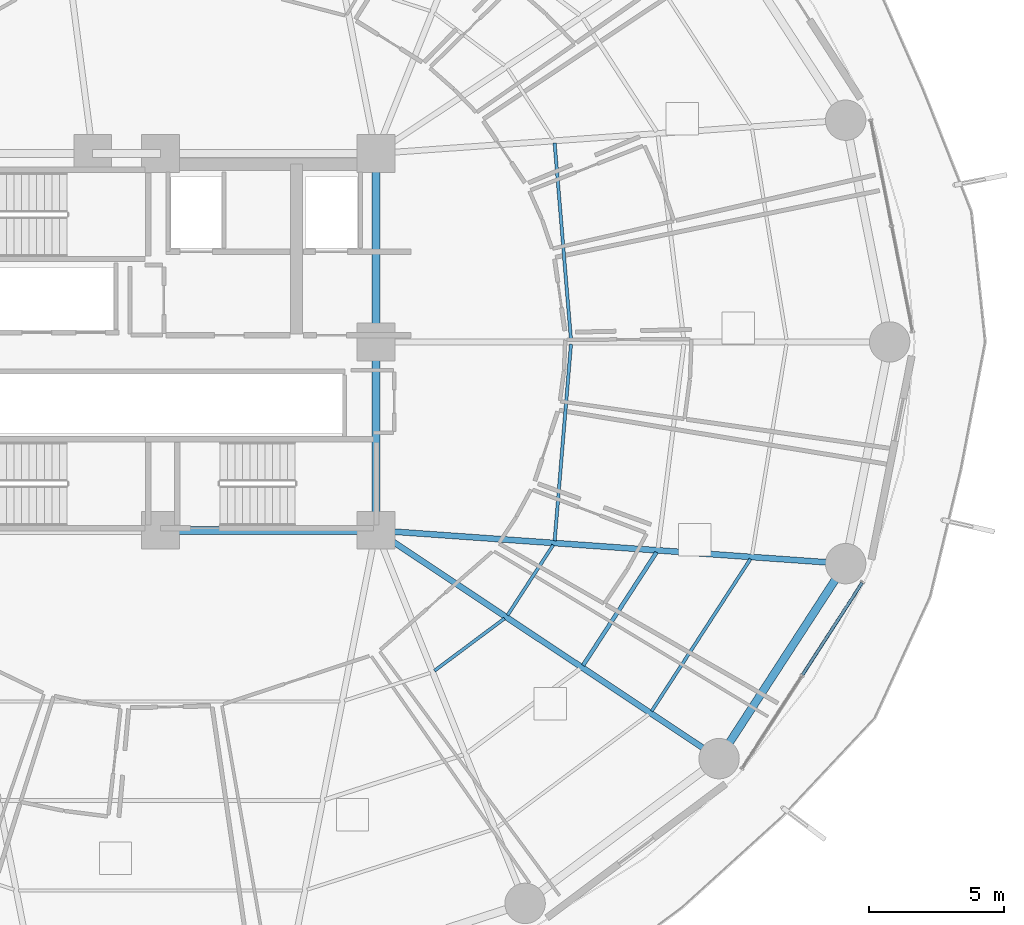
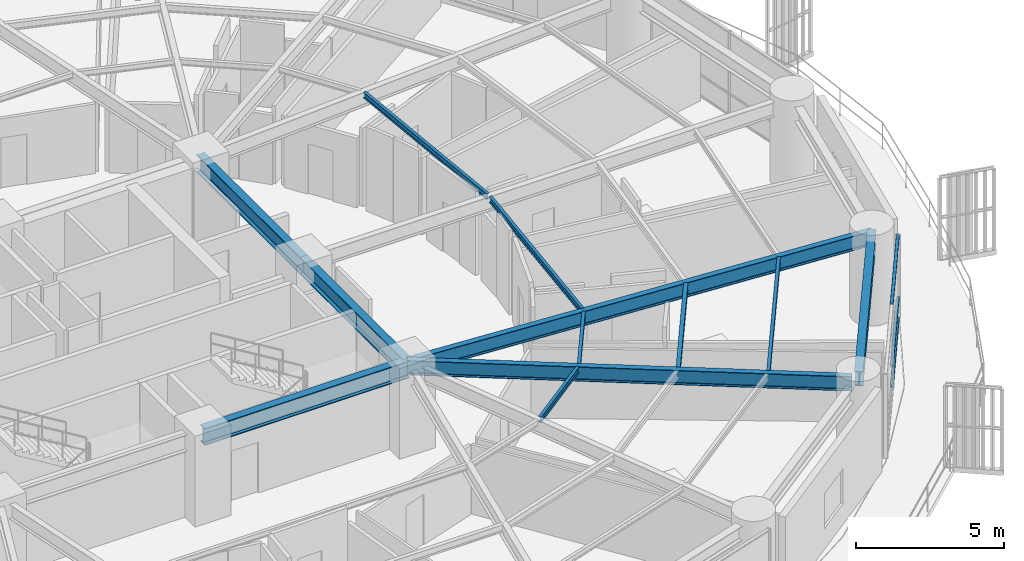
# One storey, part 11 of 34: 12 beams, 3 members, 1 element without a shape of its own.
"""IFC4 building model written with IfcOpenShell, lengths in metres."""

from ifc_helpers import new_model, si_unit, direction, frame, origin, origin_2d, place, context, subcontext, project, spatial, hollow_rectangle, i_section, extrude, material, layer, layer_set, material_profile, profile_set, type_object, element, aggregate, save


model = new_model("IFC4")

# Units and contexts
model_context = context("Model", 3, precision=1e-05, world=origin(), true_north=direction((0.0, 1.0)))
body_context = subcontext(model_context, "Body", "Model", "MODEL_VIEW")
ifc_project = project(units=[si_unit("LENGTHUNIT", "METRE"), si_unit("AREAUNIT", "SQUARE_METRE"), si_unit("VOLUMEUNIT", "CUBIC_METRE"), si_unit("PLANEANGLEUNIT", "RADIAN"), si_unit("MASSUNIT", "GRAM", prefix="KILO")], contexts=[model_context])

# Site, building, storey
site_placement = place(None, origin())
site = spatial("IfcSite", under=ifc_project, at=site_placement, CompositionType="ELEMENT")
building_placement = place(site_placement, origin())
building = spatial("IfcBuilding", under=site, at=building_placement, Name="Kelanora Arch Commons", CompositionType="ELEMENT")
storey_placement = place(building_placement, frame((0.0, 0.0, 33.75)))
storey = spatial("IfcBuildingStorey", under=building, at=storey_placement, Name="L08", CompositionType="ELEMENT", Elevation=33.75)

# Beams
ifc_material_1 = material(Name="Steel S355", Category="steel")
ifc_material_profile_1 = material_profile(ifc_material_1, i_section(OverallWidth=0.300048828125, OverallDepth=0.699951171875, WebThickness=0.01708984375, FlangeThickness=0.031982421875, FilletRadius=0.027099609375, at=origin_2d()), Name="HEB700")
ifc_profile_set_1 = profile_set([ifc_material_profile_1], Name="Steel S355")
beam_type_1 = type_object("IfcBeamType", Name="BM-CORE-HDR", PredefinedType="BEAM", material=ifc_profile_set_1)
beam_1_placement = place(storey_placement, frame((74.0, 51.0, 3.139892578125), z_axis=(1.0, 0.0, 0.0), x_axis=(0.0, 1.0, 0.0)))
element("IfcBeam", 1, at=beam_1_placement, inside=storey, type_object=beam_type_1, Name="Core Header Beam 02 L08", PredefinedType="BEAM", context=body_context, shape_type="SweptSolid", body=[
    extrude(i_section(OverallWidth=0.300048828125, OverallDepth=0.699951171875, WebThickness=0.01708984375, FlangeThickness=0.031982421875, FilletRadius=0.027099609375, at=origin_2d()), origin(), (0.0, 0.0, 1.0), 8.0),
])
for number, where, z_axis, x_axis, name in (
    (2, (82.0, 51.0, 3.139892578125), (0.0, 1.0, 0.0), (-1.0, 0.0, 0.0), "Core Header Beam 03 L08"),
    (3, (82.0, 58.0, 3.139892578125), (0.0, 1.0, 0.0), (-1.0, 0.0, 0.0), "Core Header Beam 04 L08"),
):
    element("IfcBeam", number, at=place(storey_placement, frame(where, z_axis=z_axis, x_axis=x_axis)), inside=storey, type_object=beam_type_1, Name=name, PredefinedType="BEAM", context=body_context, shape_type="SweptSolid", body=[
        extrude(i_section(OverallWidth=0.300048828125, OverallDepth=0.699951171875, WebThickness=0.01708984375, FlangeThickness=0.031982421875, FilletRadius=0.027099609375, at=origin_2d()), origin(), (0.0, 0.0, 1.0), 7.0),
    ])
ifc_material_profile_2 = material_profile(ifc_material_1, i_section(OverallWidth=0.14990234375, OverallDepth=0.300048828125, WebThickness=0.007080078125, FlangeThickness=0.0107421875, FilletRadius=0.014892578125, at=origin_2d()), Name="IPE300")
ifc_profile_set_2 = profile_set([ifc_material_profile_2], Name="Steel S355")
beam_type_2 = type_object("IfcBeamType", Name="BM-JST-01", PredefinedType="JOIST", material=ifc_profile_set_2)
beam_2_placement = place(storey_placement, frame((89.693115234375, 45.984375, 3.340087890625), z_axis=(0.544551588245, 0.838727350061, 0.0), x_axis=(-0.838727350061, 0.544551588245, 0.0)))
element("IfcBeam", 4, at=beam_2_placement, inside=storey, type_object=beam_type_2, Name="Secondary Chord Joist BJB-32 L08", PredefinedType="JOIST", context=body_context, shape_type="SweptSolid", body=[
    extrude(i_section(OverallWidth=0.14990234375, OverallDepth=0.300048828125, WebThickness=0.007080078125, FlangeThickness=0.0107421875, FilletRadius=0.014892578125, at=origin_2d()), origin(), (0.0, 0.0, 1.0), 5.010986328125),
])
ifc_material_profile_3 = material_profile(ifc_material_1, i_section(OverallWidth=0.1201171875, OverallDepth=0.239990234375, WebThickness=0.006103515625, FlangeThickness=0.009765625, FilletRadius=0.014892578125, at=origin_2d()), Name="IPE240")
ifc_profile_set_3 = profile_set([ifc_material_profile_3], Name="Steel S355")
beam_type_3 = type_object("IfcBeamType", Name="BM-JST-02", PredefinedType="JOIST", material=ifc_profile_set_3)
beam_3_placement = place(storey_placement, frame((89.243408203125, 58.084716796875, 3.3701171875), z_axis=(-0.082786209886, 0.996567330115, 0.0), x_axis=(-0.996567330115, -0.082786209886, 0.0)))
element("IfcBeam", 5, at=beam_3_placement, inside=storey, type_object=beam_type_3, Name="Secondary Chord Joist BJA-00 L08", PredefinedType="JOIST", context=body_context, shape_type="SweptSolid", body=[
    extrude(i_section(OverallWidth=0.1201171875, OverallDepth=0.239990234375, WebThickness=0.006103515625, FlangeThickness=0.009765625, FilletRadius=0.014892578125, at=origin_2d()), origin(), (0.0, 0.0, 1.0), 7.325439453125),
])
beam_4_placement = place(storey_placement, frame((84.17333984375, 45.786376953125, 3.3701171875), z_axis=(0.801513822608, 0.59797624716, 0.0), x_axis=(-0.59797624716, 0.801513822608, 0.0)))
element("IfcBeam", 6, at=beam_4_placement, inside=storey, type_object=beam_type_3, Name="Secondary Chord Joist BJA-30 L08", PredefinedType="JOIST", context=body_context, shape_type="SweptSolid", body=[
    extrude(i_section(OverallWidth=0.1201171875, OverallDepth=0.239990234375, WebThickness=0.006103515625, FlangeThickness=0.009765625, FilletRadius=0.014892578125, at=origin_2d()), origin(), (0.0, 0.0, 1.0), 3.245849609375),
])
beam_5_placement = place(storey_placement, frame((86.88916015625, 47.849609375, 3.3701171875), z_axis=(0.544591105858, 0.838701691557, 0.0), x_axis=(-0.838701691557, 0.544591105858, 0.0)))
element("IfcBeam", 7, at=beam_5_placement, inside=storey, type_object=beam_type_3, Name="Secondary Chord Joist BJA-32 L08", PredefinedType="JOIST", context=body_context, shape_type="SweptSolid", body=[
    extrude(i_section(OverallWidth=0.1201171875, OverallDepth=0.239990234375, WebThickness=0.006103515625, FlangeThickness=0.009765625, FilletRadius=0.014892578125, at=origin_2d()), origin(), (0.0, 0.0, 1.0), 3.111328125),
])
beam_6_placement = place(storey_placement, frame((92.241943359375, 44.288818359375, 3.3701171875), z_axis=(0.544550165372, 0.838728273873, 0.0), x_axis=(-0.838728273873, 0.544550165372, 0.0)))
element("IfcBeam", 8, at=beam_6_placement, inside=storey, type_object=beam_type_3, Name="Secondary Chord Joist BJC-32 L08", PredefinedType="JOIST", context=body_context, shape_type="SweptSolid", body=[
    extrude(i_section(OverallWidth=0.1201171875, OverallDepth=0.239990234375, WebThickness=0.006103515625, FlangeThickness=0.009765625, FilletRadius=0.014892578125, at=origin_2d()), origin(), (0.0, 0.0, 1.0), 6.738037109375),
])
beam_7_placement = place(storey_placement, frame((88.636962890625, 50.614990234375, 3.3701171875), z_axis=(0.082786209886, 0.996567330115, 0.0), x_axis=(-0.996567330115, 0.082786209886, 0.0)))
element("IfcBeam", 9, at=beam_7_placement, inside=storey, type_object=beam_type_3, Name="Secondary Chord Joist BJA-34 L08", PredefinedType="JOIST", context=body_context, shape_type="SweptSolid", body=[
    extrude(i_section(OverallWidth=0.1201171875, OverallDepth=0.239990234375, WebThickness=0.006103515625, FlangeThickness=0.009765625, FilletRadius=0.014892578125, at=origin_2d()), origin(), (0.0, 0.0, 1.0), 7.325439453125),
])
ifc_material_profile_4 = material_profile(ifc_material_1, i_section(OverallWidth=0.219970703125, OverallDepth=0.60009765625, WebThickness=0.011962890625, FlangeThickness=0.01904296875, FilletRadius=0.02392578125, at=origin_2d()), Name="IPE600")
ifc_profile_set_4 = profile_set([ifc_material_profile_4], Name="Steel S355")
beam_type_4 = type_object("IfcBeamType", Name="BM-RAD-Z1", PredefinedType="BEAM", material=ifc_profile_set_4)
beam_8_placement = place(storey_placement, frame((82.0, 51.0, 3.18994140625), z_axis=(0.832592623638, -0.553885839379, 0.0), x_axis=(0.553885839379, 0.832592623638, 0.0)))
element("IfcBeam", 10, at=beam_8_placement, inside=storey, type_object=beam_type_4, Name="Radial Floor Girder BR-32 L08", PredefinedType="BEAM", context=body_context, shape_type="SweptSolid", body=[
    extrude(i_section(OverallWidth=0.219970703125, OverallDepth=0.60009765625, WebThickness=0.011962890625, FlangeThickness=0.01904296875, FilletRadius=0.02392578125, at=origin_2d()), origin(), (0.0, 0.0, 1.0), 15.0869140625),
])
beam_9_placement = place(storey_placement, frame((82.0, 51.0, 3.18994140625), z_axis=(0.997500683472, -0.070656821848, 0.0), x_axis=(0.070656821848, 0.997500683472, 0.0)))
element("IfcBeam", 11, at=beam_9_placement, inside=storey, type_object=beam_type_4, Name="Radial Floor Girder BR-34 L08", PredefinedType="BEAM", context=body_context, shape_type="SweptSolid", body=[
    extrude(i_section(OverallWidth=0.219970703125, OverallDepth=0.60009765625, WebThickness=0.011962890625, FlangeThickness=0.01904296875, FilletRadius=0.02392578125, at=origin_2d()), origin(), (0.0, 0.0, 1.0), 17.49072265625),
])
ifc_material_profile_5 = material_profile(ifc_material_1, i_section(OverallWidth=0.300048828125, OverallDepth=0.60009765625, WebThickness=0.015380859375, FlangeThickness=0.030029296875, FilletRadius=0.027099609375, at=origin_2d()), Name="HEB600")
ifc_profile_set_5 = profile_set([ifc_material_profile_5], Name="Steel S355")
beam_type_5 = type_object("IfcBeamType", Name="BM-SPN-Z1", PredefinedType="SPANDREL", material=ifc_profile_set_5)
beam_10_placement = place(storey_placement, frame((94.8642578125, 42.706298828125, 3.18994140625), z_axis=(0.544583445345, 0.83870666568, 0.0), x_axis=(-0.83870666568, 0.544583445345, 0.0)))
element("IfcBeam", 12, at=beam_10_placement, inside=storey, type_object=beam_type_5, Name="Perimeter Spandrel Beam BS-32 L08", PredefinedType="SPANDREL", context=body_context, shape_type="SweptSolid", body=[
    extrude(i_section(OverallWidth=0.300048828125, OverallDepth=0.60009765625, WebThickness=0.015380859375, FlangeThickness=0.030029296875, FilletRadius=0.027099609375, at=origin_2d()), origin(), (0.0, 0.0, 1.0), 8.415283203125),
])

# Curtain wall, members
ifc_material_2 = material(Name="Terracotta ceramic-fritted low-E glass and aluminium", Category="masonry")
ifc_layer = layer(ifc_material_2, 0.159912109375)
ifc_layer_set = layer_set([ifc_layer], Name="Terracotta ceramic-fritted low-E glass and aluminium")
curtain_wall_type = type_object("IfcCurtainWallType", Name="CW-SYS-01", PredefinedType="NOTDEFINED", material=ifc_layer_set)
curtain_wall_placement = place(storey_placement, origin())
curtain_wall = element("IfcCurtainWall", 13, at=curtain_wall_placement, inside=storey, type_object=curtain_wall_type, Name="Unitised Curtain Wall L08-B16", PredefinedType="NOTDEFINED")
ifc_material_3 = material(Name="Powder-coated aluminium terracotta", Category="masonry")
ifc_material_profile_6 = material_profile(ifc_material_3, hollow_rectangle(XDim=0.1201171875, YDim=0.06005859375, WallThickness=0.0048828125, InnerFilletRadius=0.0048828125, OuterFilletRadius=0.010009765625, at=origin_2d()), Name="CWT120x60")
ifc_profile_set_6 = profile_set([ifc_material_profile_6], Name="Powder-coated aluminium terracotta")
member_type = type_object("IfcMemberType", Name="CWT-STD", PredefinedType="USERDEFINED", material=ifc_profile_set_6)
member_1_placement = place(storey_placement, frame((97.84716796875, 45.638671875, 0.030029296875), z_axis=(0.542997414293, 0.839734367566, 0.0), x_axis=(-0.839734367566, 0.542997414293, 0.0)))
member_1 = element("IfcMember", 14, at=member_1_placement, type_object=member_type, Name="CW-01 transom 2.1", ObjectType="TRANSOM", PredefinedType="USERDEFINED", context=body_context, shape_type="SweptSolid", body=[
    extrude(hollow_rectangle(XDim=0.1201171875, YDim=0.06005859375, WallThickness=0.0048828125, InnerFilletRadius=0.0048828125, OuterFilletRadius=0.010009765625, at=origin_2d()), origin(), (0.0, 0.0, 1.0), 4.067626953125),
])
member_2_placement = place(storey_placement, frame((97.84716796875, 45.638671875, 0.89990234375), z_axis=(0.542997414293, 0.839734367566, 0.0), x_axis=(-0.839734367566, 0.542997414293, 0.0)))
member_2 = element("IfcMember", 15, at=member_2_placement, type_object=member_type, Name="CW-01 transom 2.2", ObjectType="TRANSOM", PredefinedType="USERDEFINED", context=body_context, shape_type="SweptSolid", body=[
    extrude(hollow_rectangle(XDim=0.1201171875, YDim=0.06005859375, WallThickness=0.0048828125, InnerFilletRadius=0.0048828125, OuterFilletRadius=0.010009765625, at=origin_2d()), origin(), (0.0, 0.0, 1.0), 4.067626953125),
])
member_3_placement = place(storey_placement, frame((97.84716796875, 45.638671875, 3.445068359375), z_axis=(0.542997414293, 0.839734367566, 0.0), x_axis=(-0.839734367566, 0.542997414293, 0.0)))
member_3 = element("IfcMember", 16, at=member_3_placement, type_object=member_type, Name="CW-01 transom 2.3", ObjectType="TRANSOM", PredefinedType="USERDEFINED", context=body_context, shape_type="SweptSolid", body=[
    extrude(hollow_rectangle(XDim=0.1201171875, YDim=0.06005859375, WallThickness=0.0048828125, InnerFilletRadius=0.0048828125, OuterFilletRadius=0.010009765625, at=origin_2d()), origin(), (0.0, 0.0, 1.0), 4.067626953125),
])
aggregate(curtain_wall, [member_1, member_2, member_3])

save(model, "model.ifc")
